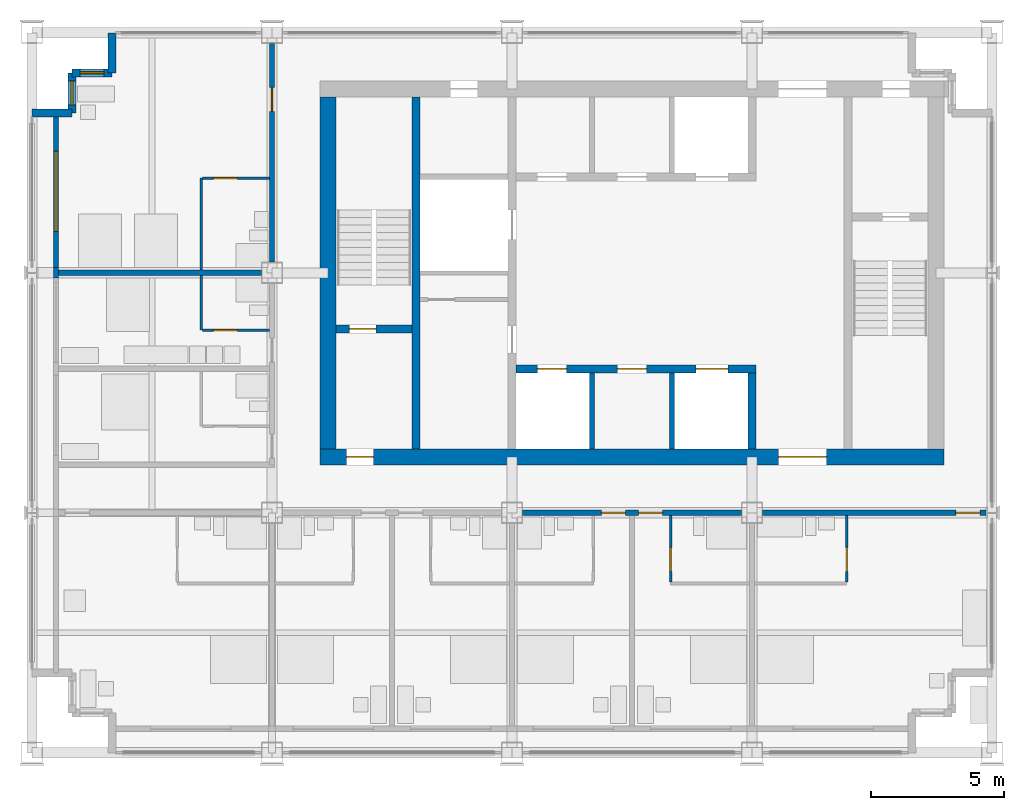
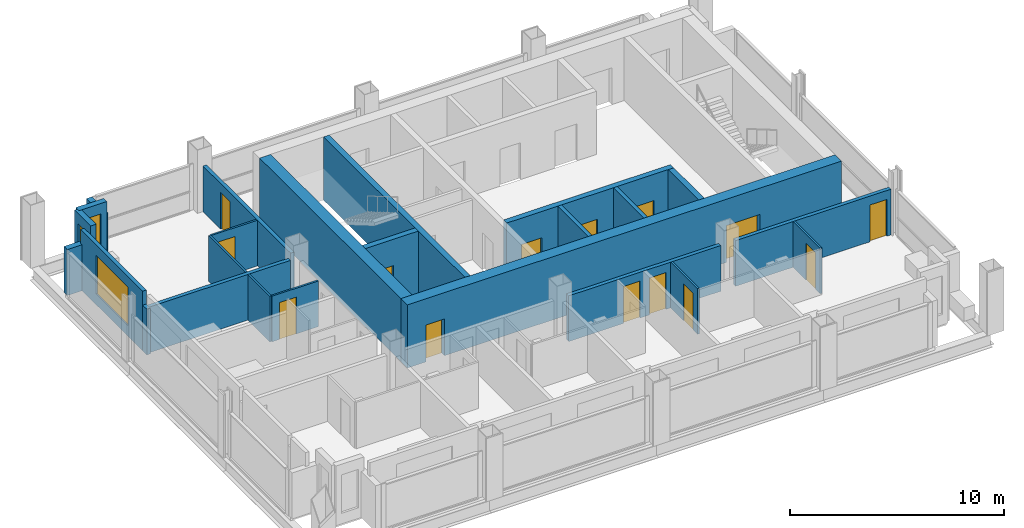
# One storey, part 7 of 12: 24 walls, 14 doors, 3 windows, 17 openings.
"""IFC4 building model written with IfcOpenShell, lengths in metres."""

from ifc_helpers import new_model, si_unit, direction, frame, frame_2d, origin, place, context, subcontext, project, spatial, rectangle, extrude, material, layer, layer_set, type_object, element, fill, save


model = new_model("IFC4")

# Units and contexts
model_context = context("Model", 3, precision=1e-05, world=origin(), true_north=direction((0.0, 1.0)))
body_context = subcontext(model_context, "Body", "Model", "MODEL_VIEW")
ifc_project = project(units=[si_unit("LENGTHUNIT", "METRE"), si_unit("AREAUNIT", "SQUARE_METRE"), si_unit("VOLUMEUNIT", "CUBIC_METRE"), si_unit("PLANEANGLEUNIT", "RADIAN"), si_unit("MASSUNIT", "GRAM", prefix="KILO")], contexts=[model_context])

# Site, building, storey
site_placement = place(None, origin())
site = spatial("IfcSite", under=ifc_project, at=site_placement, CompositionType="ELEMENT")
building_placement = place(site_placement, origin())
building = spatial("IfcBuilding", under=site, at=building_placement, Name="Loomwork Tower", CompositionType="ELEMENT")
storey_placement = place(building_placement, frame((0.0, 0.0, 251.800048828125)))
storey = spatial("IfcBuildingStorey", under=building, at=storey_placement, Name="L69", CompositionType="ELEMENT", Elevation=251.800048828125)

# Wall
ifc_material_1 = material(Name="Concrete 14000 psi (97 MPa)", Category="concrete")
ifc_layer_1 = layer(ifc_material_1, 0.300048828125)
ifc_layer_set_1 = layer_set([ifc_layer_1], Name="Core shear wall 300")
wall_type_1 = type_object("IfcWallType", Name="Core shear wall 300", PredefinedType="SHEAR", material=ifc_layer_set_1)
wall_1_placement = place(storey_placement, frame((14.39990234375, 11.39990234375, 0.0), z_axis=(0.0, 0.0, 1.0), x_axis=(0.0, 1.0, 0.0)))
element("IfcWall", 1, at=wall_1_placement, inside=storey, type_object=wall_type_1, Name="Stair A east wall L69", PredefinedType="SHEAR", context=body_context, shape_type="SweptSolid", body=[
    extrude(rectangle(XDim=13.2001953125, YDim=0.300048828125, at=frame_2d((6.60009765625, 0.0))), origin(), (0.0, 0.0, 1.0), 3.599853515625),
])

# Wall, opening, door
wall_2_placement = place(storey_placement, frame((11.39990234375, 15.89990234375, 0.0), z_axis=(0.0, 0.0, 1.0), x_axis=(1.0, 0.0, 0.0)))
wall_2 = element("IfcWall", 2, at=wall_2_placement, inside=storey, type_object=wall_type_1, Name="Stair A south wall L69", PredefinedType="SHEAR", context=body_context, shape_type="SweptSolid", body=[
    extrude(rectangle(XDim=2.85009765625, YDim=0.300048828125, at=frame_2d((1.425048828125, 0.0))), origin(), (0.0, 0.0, 1.0), 3.599853515625),
])
opening_1_placement = place(wall_2_placement, frame((0.5, 0.0, 0.0)))
opening_1 = element("IfcOpeningElement", 3, at=opening_1_placement, cuts=wall_2, Name="Opening D4", PredefinedType="OPENING", context=body_context, shape_type="SweptSolid", body=[
    extrude(rectangle(XDim=1.0, YDim=2.10009765625, at=frame_2d((0.5, 1.050048828125))), frame((0.0, 0.159912109375, 0.0), z_axis=(0.0, -1.0, 0.0), x_axis=(1.0, 0.0, 0.0)), (0.0, 0.0, 1.0), 0.320068359375),
])
ifc_material_2 = material(Name="Hollow metal door and frame")
door_type_1 = type_object("IfcDoorType", Name="Stair door 1000", OperationType="SINGLE_SWING_RIGHT", PredefinedType="DOOR", material=ifc_material_2)
door_1_placement = place(opening_1_placement, origin())
door_1 = element("IfcDoor", 4, at=door_1_placement, inside=storey, type_object=door_type_1, Name="Stair A door", OperationType="SINGLE_SWING_LEFT", OverallHeight=2.10009765625, OverallWidth=1.0, PredefinedType="DOOR", context=body_context, shape_type="SweptSolid", body=[
    extrude(rectangle(XDim=1.0, YDim=2.10009765625, at=frame_2d((0.5, 1.050048828125))), frame((0.0, 0.02490234375, 0.0), z_axis=(0.0, -1.0, 0.0), x_axis=(1.0, 0.0, 0.0)), (0.0, 0.0, 1.0), 0.050048828125),
])
fill(opening_1, door_1)

# Wall, openings, doors
wall_3_placement = place(storey_placement, frame((18.14990234375, 14.39990234375, 0.0), z_axis=(0.0, 0.0, 1.0), x_axis=(1.0, 0.0, 0.0)))
wall_3 = element("IfcWall", 5, at=wall_3_placement, inside=storey, type_object=wall_type_1, Name="Lift front wall south L69", PredefinedType="SHEAR", context=body_context, shape_type="SweptSolid", body=[
    extrude(rectangle(XDim=9.0, YDim=0.300048828125, at=frame_2d((4.5, 0.0))), origin(), (0.0, 0.0, 1.0), 3.599853515625),
])
opening_2_placement = place(wall_3_placement, frame((0.800048828125, 0.0, 0.0)))
opening_2 = element("IfcOpeningElement", 6, at=opening_2_placement, cuts=wall_3, Name="Opening LD1", PredefinedType="OPENING", context=body_context, shape_type="SweptSolid", body=[
    extrude(rectangle(XDim=1.10009765625, YDim=2.10009765625, at=frame_2d((0.550048828125, 1.050048828125))), frame((0.0, 0.159912109375, 0.0), z_axis=(0.0, -1.0, 0.0), x_axis=(1.0, 0.0, 0.0)), (0.0, 0.0, 1.0), 0.320068359375),
])
opening_3_placement = place(wall_3_placement, frame((6.75, 0.0, 0.0)))
opening_3 = element("IfcOpeningElement", 7, at=opening_3_placement, cuts=wall_3, Name="Opening LD2", PredefinedType="OPENING", context=body_context, shape_type="SweptSolid", body=[
    extrude(rectangle(XDim=1.199951171875, YDim=2.10009765625, at=frame_2d((0.60009765625, 1.050048828125))), frame((0.0, 0.159912109375, 0.0), z_axis=(0.0, -1.0, 0.0), x_axis=(1.0, 0.0, 0.0)), (0.0, 0.0, 1.0), 0.320068359375),
])
opening_4_placement = place(wall_3_placement, frame((3.800048828125, 0.0, 0.0)))
opening_4 = element("IfcOpeningElement", 8, at=opening_4_placement, cuts=wall_3, Name="Opening D17", PredefinedType="OPENING", context=body_context, shape_type="SweptSolid", body=[
    extrude(rectangle(XDim=1.10009765625, YDim=2.10009765625, at=frame_2d((0.550048828125, 1.050048828125))), frame((0.0, 0.159912109375, 0.0), z_axis=(0.0, -1.0, 0.0), x_axis=(1.0, 0.0, 0.0)), (0.0, 0.0, 1.0), 0.320068359375),
])
ifc_material_3 = material(Name="Hollow metal door and frame")
door_type_2 = type_object("IfcDoorType", Name="Lift landing door 1100", OperationType="SLIDING_TO_LEFT", PredefinedType="DOOR", material=ifc_material_3)
door_2_placement = place(opening_2_placement, origin())
door_2 = element("IfcDoor", 9, at=door_2_placement, inside=storey, type_object=door_type_2, Name="Lift landing door LC1", OperationType="SLIDING_TO_LEFT", OverallHeight=2.10009765625, OverallWidth=1.10009765625, PredefinedType="DOOR", context=body_context, shape_type="SweptSolid", body=[
    extrude(rectangle(XDim=1.10009765625, YDim=2.10009765625, at=frame_2d((0.550048828125, 1.050048828125))), frame((0.0, 0.02490234375, 0.0), z_axis=(0.0, -1.0, 0.0), x_axis=(1.0, 0.0, 0.0)), (0.0, 0.0, 1.0), 0.050048828125),
])
fill(opening_2, door_2)
ifc_material_4 = material(Name="Hollow metal door and frame")
door_type_3 = type_object("IfcDoorType", Name="Lift landing door 1200", OperationType="SLIDING_TO_LEFT", PredefinedType="DOOR", material=ifc_material_4)
door_3_placement = place(opening_3_placement, origin())
door_3 = element("IfcDoor", 10, at=door_3_placement, inside=storey, type_object=door_type_3, Name="Lift landing door LF1", OperationType="SLIDING_TO_LEFT", OverallHeight=2.10009765625, OverallWidth=1.199951171875, PredefinedType="DOOR", context=body_context, shape_type="SweptSolid", body=[
    extrude(rectangle(XDim=1.199951171875, YDim=2.10009765625, at=frame_2d((0.60009765625, 1.050048828125))), frame((0.0, 0.02490234375, 0.0), z_axis=(0.0, -1.0, 0.0), x_axis=(1.0, 0.0, 0.0)), (0.0, 0.0, 1.0), 0.050048828125),
])
fill(opening_3, door_3)
ifc_material_5 = material(Name="Hollow metal door and frame")
door_type_4 = type_object("IfcDoorType", Name="Service room door 1100", OperationType="SINGLE_SWING_LEFT", PredefinedType="DOOR", material=ifc_material_5)
door_4_placement = place(opening_4_placement, frame((1.10009765625, 0.0, 0.0), z_axis=(0.0, 0.0, 1.0), x_axis=(-1.0, 0.0, 0.0)))
door_4 = element("IfcDoor", 11, at=door_4_placement, inside=storey, type_object=door_type_4, Name="Linen and housekeeping store door L69", OperationType="SINGLE_SWING_RIGHT", OverallHeight=2.10009765625, OverallWidth=1.10009765625, PredefinedType="DOOR", context=body_context, shape_type="SweptSolid", body=[
    extrude(rectangle(XDim=1.10009765625, YDim=2.10009765625, at=frame_2d((0.550048828125, 1.050048828125))), frame((0.0, 0.02490234375, 0.0), z_axis=(0.0, -1.0, 0.0), x_axis=(1.0, 0.0, 0.0)), (0.0, 0.0, 1.0), 0.050048828125),
])
fill(opening_4, door_4)

# Wall
wall_4_placement = place(storey_placement, frame((27.0, 11.39990234375, 0.0), z_axis=(0.0, 0.0, 1.0), x_axis=(0.0, 1.0, 0.0)))
element("IfcWall", 12, at=wall_4_placement, inside=storey, type_object=wall_type_1, Name="Lift shaft end wall south L69", PredefinedType="SHEAR", context=body_context, shape_type="SweptSolid", body=[
    extrude(rectangle(XDim=2.85009765625, YDim=0.300048828125, at=frame_2d((1.425048828125, 0.0))), origin(), (0.0, 0.0, 1.0), 3.599853515625),
])

# Wall, openings, doors
ifc_material_6 = material(Name="Concrete 14000 psi (97 MPa)", Category="concrete")
ifc_layer_2 = layer(ifc_material_6, 0.60009765625)
ifc_layer_set_2 = layer_set([ifc_layer_2], Name="Core shear wall 600")
wall_type_2 = type_object("IfcWallType", Name="Core shear wall 600", PredefinedType="SHEAR", material=ifc_layer_set_2)
wall_5_placement = place(storey_placement, frame((10.800048828125, 11.10009765625, 0.0), z_axis=(0.0, 0.0, 1.0), x_axis=(1.0, 0.0, 0.0)))
wall_5 = element("IfcWall", 13, at=wall_5_placement, inside=storey, type_object=wall_type_2, Name="Core wall south L69", PredefinedType="SHEAR", context=body_context, shape_type="SweptSolid", body=[
    extrude(rectangle(XDim=23.39990234375, YDim=0.60009765625, at=frame_2d((11.699951171875, 0.0))), origin(), (0.0, 0.0, 1.0), 3.599853515625),
])
opening_5_placement = place(wall_5_placement, frame((1.0, 0.0, 0.0)))
opening_5 = element("IfcOpeningElement", 14, at=opening_5_placement, cuts=wall_5, Name="Opening D4", PredefinedType="OPENING", context=body_context, shape_type="SweptSolid", body=[
    extrude(rectangle(XDim=1.0, YDim=2.10009765625, at=frame_2d((0.5, 1.050048828125))), frame((0.0, 0.31005859375, 0.0), z_axis=(0.0, -1.0, 0.0), x_axis=(1.0, 0.0, 0.0)), (0.0, 0.0, 1.0), 0.6201171875),
])
opening_6_placement = place(wall_5_placement, frame((17.199951171875, 0.0, 0.0)))
opening_6 = element("IfcOpeningElement", 15, at=opening_6_placement, cuts=wall_5, Name="Opening D6", PredefinedType="OPENING", context=body_context, shape_type="SweptSolid", body=[
    extrude(rectangle(XDim=1.800048828125, YDim=2.10009765625, at=frame_2d((0.89990234375, 1.050048828125))), frame((0.0, 0.31005859375, 0.0), z_axis=(0.0, -1.0, 0.0), x_axis=(1.0, 0.0, 0.0)), (0.0, 0.0, 1.0), 0.6201171875),
])
ifc_material_7 = material(Name="Hollow metal door and frame")
door_type_5 = type_object("IfcDoorType", Name="Lobby passage double door 1800", OperationType="DOUBLE_DOOR_SINGLE_SWING", PredefinedType="DOOR", material=ifc_material_7)
door_5_placement = place(opening_6_placement, origin())
door_5 = element("IfcDoor", 16, at=door_5_placement, inside=storey, type_object=door_type_5, Name="Lobby passage door south", OperationType="DOUBLE_DOOR_SINGLE_SWING", OverallHeight=2.10009765625, OverallWidth=1.800048828125, PredefinedType="DOOR", context=body_context, shape_type="SweptSolid", body=[
    extrude(rectangle(XDim=1.800048828125, YDim=2.10009765625, at=frame_2d((0.89990234375, 1.050048828125))), frame((0.0, 0.02490234375, 0.0), z_axis=(0.0, -1.0, 0.0), x_axis=(1.0, 0.0, 0.0)), (0.0, 0.0, 1.0), 0.050048828125),
])
fill(opening_6, door_5)
door_6_placement = place(opening_5_placement, origin())
door_6 = element("IfcDoor", 17, at=door_6_placement, inside=storey, type_object=door_type_1, Name="Stair A vestibule door", OperationType="SINGLE_SWING_LEFT", OverallHeight=2.10009765625, OverallWidth=1.0, PredefinedType="DOOR", context=body_context, shape_type="SweptSolid", body=[
    extrude(rectangle(XDim=1.0, YDim=2.10009765625, at=frame_2d((0.5, 1.050048828125))), frame((0.0, 0.02490234375, 0.0), z_axis=(0.0, -1.0, 0.0), x_axis=(1.0, 0.0, 0.0)), (0.0, 0.0, 1.0), 0.050048828125),
])
fill(opening_5, door_6)

# Wall
wall_6_placement = place(storey_placement, frame((11.10009765625, 11.39990234375, 0.0), z_axis=(0.0, 0.0, 1.0), x_axis=(0.0, 1.0, 0.0)))
element("IfcWall", 18, at=wall_6_placement, inside=storey, type_object=wall_type_2, Name="Core wall west L69", PredefinedType="SHEAR", context=body_context, shape_type="SweptSolid", body=[
    extrude(rectangle(XDim=13.2001953125, YDim=0.60009765625, at=frame_2d((6.60009765625, 0.0))), origin(), (0.0, 0.0, 1.0), 3.599853515625),
])

# Wall, openings, doors
ifc_material_8 = material(Name="Gypsum board on steel studs, one-hour", Category="steel")
ifc_layer_3 = layer(ifc_material_8, 0.199951171875)
ifc_layer_set_3 = layer_set([ifc_layer_3], Name="Corridor wall 200")
wall_type_3 = type_object("IfcWallType", Name="Corridor wall 200", PredefinedType="PARTITIONING", material=ifc_layer_set_3)
wall_7_placement = place(storey_placement, frame((18.39990234375, 9.0, 0.0), z_axis=(0.0, 0.0, 1.0), x_axis=(1.0, 0.0, 0.0)))
wall_7 = element("IfcWall", 19, at=wall_7_placement, inside=storey, type_object=wall_type_3, Name="South corridor wall 3", PredefinedType="PARTITIONING", context=body_context, shape_type="SweptSolid", body=[
    extrude(rectangle(XDim=8.2001953125, YDim=0.199951171875, at=frame_2d((4.10009765625, 0.0))), origin(), (0.0, 0.0, 1.0), 2.60498046875),
])
opening_7_placement = place(wall_7_placement, frame((2.949951171875, 0.0, 0.0)))
opening_7 = element("IfcOpeningElement", 20, at=opening_7_placement, cuts=wall_7, Name="Opening D1", PredefinedType="OPENING", context=body_context, shape_type="SweptSolid", body=[
    extrude(rectangle(XDim=0.89990234375, YDim=2.10009765625, at=frame_2d((0.449951171875, 1.050048828125))), frame((0.0, 0.10986328125, 0.0), z_axis=(0.0, -1.0, 0.0), x_axis=(1.0, 0.0, 0.0)), (0.0, 0.0, 1.0), 0.219970703125),
])
opening_8_placement = place(wall_7_placement, frame((4.35009765625, 0.0, 0.0)))
opening_8 = element("IfcOpeningElement", 21, at=opening_8_placement, cuts=wall_7, Name="Opening D1", PredefinedType="OPENING", context=body_context, shape_type="SweptSolid", body=[
    extrude(rectangle(XDim=0.89990234375, YDim=2.10009765625, at=frame_2d((0.449951171875, 1.050048828125))), frame((0.0, 0.10986328125, 0.0), z_axis=(0.0, -1.0, 0.0), x_axis=(1.0, 0.0, 0.0)), (0.0, 0.0, 1.0), 0.219970703125),
])
ifc_material_9 = material(Name="Hollow metal door and frame")
door_type_6 = type_object("IfcDoorType", Name="Guest room entry door 900", OperationType="SINGLE_SWING_LEFT", PredefinedType="DOOR", material=ifc_material_9)
door_7_placement = place(opening_7_placement, frame((0.89990234375, 0.0, 0.0), z_axis=(0.0, 0.0, 1.0), x_axis=(-1.0, 0.0, 0.0)))
door_7 = element("IfcDoor", 22, at=door_7_placement, inside=storey, type_object=door_type_6, Name="Guest room entry door L69 4", OperationType="SINGLE_SWING_LEFT", OverallHeight=2.10009765625, OverallWidth=0.89990234375, PredefinedType="DOOR", context=body_context, shape_type="SweptSolid", body=[
    extrude(rectangle(XDim=0.89990234375, YDim=2.10009765625, at=frame_2d((0.449951171875, 1.050048828125))), frame((0.0, 0.02490234375, 0.0), z_axis=(0.0, -1.0, 0.0), x_axis=(1.0, 0.0, 0.0)), (0.0, 0.0, 1.0), 0.050048828125),
])
fill(opening_7, door_7)
door_8_placement = place(opening_8_placement, frame((0.89990234375, 0.0, 0.0), z_axis=(0.0, 0.0, 1.0), x_axis=(-1.0, 0.0, 0.0)))
door_8 = element("IfcDoor", 23, at=door_8_placement, inside=storey, type_object=door_type_6, Name="Guest room entry door L69 5", OperationType="SINGLE_SWING_RIGHT", OverallHeight=2.10009765625, OverallWidth=0.89990234375, PredefinedType="DOOR", context=body_context, shape_type="SweptSolid", body=[
    extrude(rectangle(XDim=0.89990234375, YDim=2.10009765625, at=frame_2d((0.449951171875, 1.050048828125))), frame((0.0, 0.02490234375, 0.0), z_axis=(0.0, -1.0, 0.0), x_axis=(1.0, 0.0, 0.0)), (0.0, 0.0, 1.0), 0.050048828125),
])
fill(opening_8, door_8)

# Wall, opening, door
wall_8_placement = place(storey_placement, frame((27.39990234375, 9.0, 0.0), z_axis=(0.0, 0.0, 1.0), x_axis=(1.0, 0.0, 0.0)))
wall_8 = element("IfcWall", 24, at=wall_8_placement, inside=storey, type_object=wall_type_3, Name="South corridor wall 4", PredefinedType="PARTITIONING", context=body_context, shape_type="SweptSolid", body=[
    extrude(rectangle(XDim=8.377685546875, YDim=0.199951171875, at=frame_2d((4.18896484375, 0.0))), origin(), (0.0, 0.0, 1.0), 2.60498046875),
])
opening_9_placement = place(wall_8_placement, frame((7.25, 0.0, 0.0)))
opening_9 = element("IfcOpeningElement", 25, at=opening_9_placement, cuts=wall_8, Name="Opening D1", PredefinedType="OPENING", context=body_context, shape_type="SweptSolid", body=[
    extrude(rectangle(XDim=0.89990234375, YDim=2.10009765625, at=frame_2d((0.449951171875, 1.050048828125))), frame((0.0, 0.10986328125, 0.0), z_axis=(0.0, -1.0, 0.0), x_axis=(1.0, 0.0, 0.0)), (0.0, 0.0, 1.0), 0.219970703125),
])
door_9_placement = place(opening_9_placement, frame((0.89990234375, 0.0, 0.0), z_axis=(0.0, 0.0, 1.0), x_axis=(-1.0, 0.0, 0.0)))
door_9 = element("IfcDoor", 26, at=door_9_placement, inside=storey, type_object=door_type_6, Name="Guest room entry door L69 6", OperationType="SINGLE_SWING_RIGHT", OverallHeight=2.10009765625, OverallWidth=0.89990234375, PredefinedType="DOOR", context=body_context, shape_type="SweptSolid", body=[
    extrude(rectangle(XDim=0.89990234375, YDim=2.10009765625, at=frame_2d((0.449951171875, 1.050048828125))), frame((0.0, 0.02490234375, 0.0), z_axis=(0.0, -1.0, 0.0), x_axis=(1.0, 0.0, 0.0)), (0.0, 0.0, 1.0), 0.050048828125),
])
fill(opening_9, door_9)

wall_9_placement = place(storey_placement, frame((9.0, 18.39990234375, 0.0), z_axis=(0.0, 0.0, 1.0), x_axis=(0.0, 1.0, 0.0)))
wall_9 = element("IfcWall", 27, at=wall_9_placement, inside=storey, type_object=wall_type_3, Name="West corridor wall 2", PredefinedType="PARTITIONING", context=body_context, shape_type="SweptSolid", body=[
    extrude(rectangle(XDim=8.2001953125, YDim=0.199951171875, at=frame_2d((4.10009765625, 0.0))), origin(), (0.0, 0.0, 1.0), 2.60498046875),
])
opening_10_placement = place(wall_9_placement, frame((5.64990234375, 0.0, 0.0)))
opening_10 = element("IfcOpeningElement", 28, at=opening_10_placement, cuts=wall_9, Name="Opening D1", PredefinedType="OPENING", context=body_context, shape_type="SweptSolid", body=[
    extrude(rectangle(XDim=0.89990234375, YDim=2.10009765625, at=frame_2d((0.449951171875, 1.050048828125))), frame((0.0, 0.10986328125, 0.0), z_axis=(0.0, -1.0, 0.0), x_axis=(1.0, 0.0, 0.0)), (0.0, 0.0, 1.0), 0.219970703125),
])
door_10_placement = place(opening_10_placement, origin())
door_10 = element("IfcDoor", 29, at=door_10_placement, inside=storey, type_object=door_type_6, Name="Guest room entry door L69 9", OperationType="SINGLE_SWING_RIGHT", OverallHeight=2.10009765625, OverallWidth=0.89990234375, PredefinedType="DOOR", context=body_context, shape_type="SweptSolid", body=[
    extrude(rectangle(XDim=0.89990234375, YDim=2.10009765625, at=frame_2d((0.449951171875, 1.050048828125))), frame((0.0, 0.02490234375, 0.0), z_axis=(0.0, -1.0, 0.0), x_axis=(1.0, 0.0, 0.0)), (0.0, 0.0, 1.0), 0.050048828125),
])
fill(opening_10, door_10)

ifc_material_10 = material(Name="Cement board on steel studs", Category="steel")
ifc_layer_4 = layer(ifc_material_10, 0.10009765625)
ifc_layer_set_4 = layer_set([ifc_layer_4], Name="En-suite partition 100")
wall_type_4 = type_object("IfcWallType", Name="En-suite partition 100", PredefinedType="PARTITIONING", material=ifc_layer_set_4)
wall_10_placement = place(storey_placement, frame((23.949951171875, 8.89990234375, 0.0), z_axis=(0.0, 0.0, 1.0), x_axis=(0.0, -1.0, 0.0)))
wall_10 = element("IfcWall", 30, at=wall_10_placement, inside=storey, type_object=wall_type_4, Name="En-suite side wall L69 room 5", PredefinedType="PARTITIONING", context=body_context, shape_type="SweptSolid", body=[
    extrude(rectangle(XDim=2.5, YDim=0.10009765625, at=frame_2d((1.25, 0.0))), origin(), (0.0, 0.0, 1.0), 2.60400390625),
])
opening_11_placement = place(wall_10_placement, frame((1.199951171875, 0.0, 0.0)))
opening_11 = element("IfcOpeningElement", 31, at=opening_11_placement, cuts=wall_10, Name="Opening D3", PredefinedType="OPENING", context=body_context, shape_type="SweptSolid", body=[
    extrude(rectangle(XDim=0.89990234375, YDim=2.10009765625, at=frame_2d((0.449951171875, 1.050048828125))), frame((0.0, 0.06005859375, 0.0), z_axis=(0.0, -1.0, 0.0), x_axis=(1.0, 0.0, 0.0)), (0.0, 0.0, 1.0), 0.1201171875),
])
ifc_material_11 = material(Name="Hollow metal door and frame")
door_type_7 = type_object("IfcDoorType", Name="Accessible en-suite door 900", OperationType="SLIDING_TO_LEFT", PredefinedType="DOOR", material=ifc_material_11)
door_11_placement = place(opening_11_placement, origin())
door_11 = element("IfcDoor", 32, at=door_11_placement, inside=storey, type_object=door_type_7, Name="Accessible en-suite door room 5", OperationType="SLIDING_TO_LEFT", OverallHeight=2.10009765625, OverallWidth=0.89990234375, PredefinedType="DOOR", context=body_context, shape_type="SweptSolid", body=[
    extrude(rectangle(XDim=0.89990234375, YDim=2.10009765625, at=frame_2d((0.449951171875, 1.050048828125))), frame((0.0, 0.02490234375, 0.0), z_axis=(0.0, -1.0, 0.0), x_axis=(1.0, 0.0, 0.0)), (0.0, 0.0, 1.0), 0.050048828125),
])
fill(opening_11, door_11)

wall_11_placement = place(storey_placement, frame((30.550048828125, 8.89990234375, 0.0), z_axis=(0.0, 0.0, 1.0), x_axis=(0.0, -1.0, 0.0)))
wall_11 = element("IfcWall", 33, at=wall_11_placement, inside=storey, type_object=wall_type_4, Name="En-suite side wall L69 room 6", PredefinedType="PARTITIONING", context=body_context, shape_type="SweptSolid", body=[
    extrude(rectangle(XDim=2.5, YDim=0.10009765625, at=frame_2d((1.25, 0.0))), origin(), (0.0, 0.0, 1.0), 2.60400390625),
])
opening_12_placement = place(wall_11_placement, frame((1.199951171875, 0.0, 0.0)))
opening_12 = element("IfcOpeningElement", 34, at=opening_12_placement, cuts=wall_11, Name="Opening D2", PredefinedType="OPENING", context=body_context, shape_type="SweptSolid", body=[
    extrude(rectangle(XDim=0.89990234375, YDim=2.10009765625, at=frame_2d((0.449951171875, 1.050048828125))), frame((0.0, 0.06005859375, 0.0), z_axis=(0.0, -1.0, 0.0), x_axis=(1.0, 0.0, 0.0)), (0.0, 0.0, 1.0), 0.1201171875),
])
ifc_material_12 = material(Name="Hollow metal door and frame")
door_type_8 = type_object("IfcDoorType", Name="En-suite door 900", OperationType="SINGLE_SWING_LEFT", PredefinedType="DOOR", material=ifc_material_12)
door_12_placement = place(opening_12_placement, frame((0.89990234375, 0.0, 0.0), z_axis=(0.0, 0.0, 1.0), x_axis=(-1.0, 0.0, 0.0)))
door_12 = element("IfcDoor", 35, at=door_12_placement, inside=storey, type_object=door_type_8, Name="En-suite door room 6", OperationType="SINGLE_SWING_LEFT", OverallHeight=2.10009765625, OverallWidth=0.89990234375, PredefinedType="DOOR", context=body_context, shape_type="SweptSolid", body=[
    extrude(rectangle(XDim=0.89990234375, YDim=2.10009765625, at=frame_2d((0.449951171875, 1.050048828125))), frame((0.0, 0.02490234375, 0.0), z_axis=(0.0, -1.0, 0.0), x_axis=(1.0, 0.0, 0.0)), (0.0, 0.0, 1.0), 0.050048828125),
])
fill(opening_12, door_12)

# Wall
wall_12_placement = place(storey_placement, frame((6.35009765625, 15.85009765625, 0.0), z_axis=(0.0, 0.0, 1.0), x_axis=(0.0, 1.0, 0.0)))
element("IfcWall", 36, at=wall_12_placement, inside=storey, type_object=wall_type_4, Name="En-suite wall L69 room 8", PredefinedType="PARTITIONING", context=body_context, shape_type="SweptSolid", body=[
    extrude(rectangle(XDim=2.0498046875, YDim=0.10009765625, at=frame_2d((1.02490234375, 0.0))), origin(), (0.0, 0.0, 1.0), 2.60400390625),
])

# Wall, opening, door
wall_13_placement = place(storey_placement, frame((8.89990234375, 15.85009765625, 0.0), z_axis=(0.0, 0.0, 1.0), x_axis=(-1.0, 0.0, 0.0)))
wall_13 = element("IfcWall", 37, at=wall_13_placement, inside=storey, type_object=wall_type_4, Name="En-suite side wall L69 room 8", PredefinedType="PARTITIONING", context=body_context, shape_type="SweptSolid", body=[
    extrude(rectangle(XDim=2.5, YDim=0.10009765625, at=frame_2d((1.25, 0.0))), origin(), (0.0, 0.0, 1.0), 2.60400390625),
])
opening_13_placement = place(wall_13_placement, frame((1.199951171875, 0.0, 0.0)))
opening_13 = element("IfcOpeningElement", 38, at=opening_13_placement, cuts=wall_13, Name="Opening D2", PredefinedType="OPENING", context=body_context, shape_type="SweptSolid", body=[
    extrude(rectangle(XDim=0.89990234375, YDim=2.10009765625, at=frame_2d((0.449951171875, 1.050048828125))), frame((0.0, 0.06005859375, 0.0), z_axis=(0.0, -1.0, 0.0), x_axis=(1.0, 0.0, 0.0)), (0.0, 0.0, 1.0), 0.1201171875),
])
door_13_placement = place(opening_13_placement, frame((0.89990234375, 0.0, 0.0), z_axis=(0.0, 0.0, 1.0), x_axis=(-1.0, 0.0, 0.0)))
door_13 = element("IfcDoor", 39, at=door_13_placement, inside=storey, type_object=door_type_8, Name="En-suite door room 8", OperationType="SINGLE_SWING_LEFT", OverallHeight=2.10009765625, OverallWidth=0.89990234375, PredefinedType="DOOR", context=body_context, shape_type="SweptSolid", body=[
    extrude(rectangle(XDim=0.89990234375, YDim=2.10009765625, at=frame_2d((0.449951171875, 1.050048828125))), frame((0.0, 0.02490234375, 0.0), z_axis=(0.0, -1.0, 0.0), x_axis=(1.0, 0.0, 0.0)), (0.0, 0.0, 1.0), 0.050048828125),
])
fill(opening_13, door_13)

# Wall
wall_14_placement = place(storey_placement, frame((6.35009765625, 18.10009765625, 0.0), z_axis=(0.0, 0.0, 1.0), x_axis=(0.0, 1.0, 0.0)))
element("IfcWall", 40, at=wall_14_placement, inside=storey, type_object=wall_type_4, Name="En-suite wall L69 room 9", PredefinedType="PARTITIONING", context=body_context, shape_type="SweptSolid", body=[
    extrude(rectangle(XDim=3.449951171875, YDim=0.10009765625, at=frame_2d((1.72509765625, 0.0))), origin(), (0.0, 0.0, 1.0), 2.60400390625),
])

# Wall, opening, door
wall_15_placement = place(storey_placement, frame((8.89990234375, 21.550048828125, 0.0), z_axis=(0.0, 0.0, 1.0), x_axis=(-1.0, 0.0, 0.0)))
wall_15 = element("IfcWall", 41, at=wall_15_placement, inside=storey, type_object=wall_type_4, Name="En-suite side wall L69 room 9", PredefinedType="PARTITIONING", context=body_context, shape_type="SweptSolid", body=[
    extrude(rectangle(XDim=2.5, YDim=0.10009765625, at=frame_2d((1.25, 0.0))), origin(), (0.0, 0.0, 1.0), 2.60400390625),
])
opening_14_placement = place(wall_15_placement, frame((1.199951171875, 0.0, 0.0)))
opening_14 = element("IfcOpeningElement", 42, at=opening_14_placement, cuts=wall_15, Name="Opening D2", PredefinedType="OPENING", context=body_context, shape_type="SweptSolid", body=[
    extrude(rectangle(XDim=0.89990234375, YDim=2.10009765625, at=frame_2d((0.449951171875, 1.050048828125))), frame((0.0, 0.06005859375, 0.0), z_axis=(0.0, -1.0, 0.0), x_axis=(1.0, 0.0, 0.0)), (0.0, 0.0, 1.0), 0.1201171875),
])
door_14_placement = place(opening_14_placement, origin())
door_14 = element("IfcDoor", 43, at=door_14_placement, inside=storey, type_object=door_type_8, Name="En-suite door room 9", OperationType="SINGLE_SWING_RIGHT", OverallHeight=2.10009765625, OverallWidth=0.89990234375, PredefinedType="DOOR", context=body_context, shape_type="SweptSolid", body=[
    extrude(rectangle(XDim=0.89990234375, YDim=2.10009765625, at=frame_2d((0.449951171875, 1.050048828125))), frame((0.0, 0.02490234375, 0.0), z_axis=(0.0, -1.0, 0.0), x_axis=(1.0, 0.0, 0.0)), (0.0, 0.0, 1.0), 0.050048828125),
])
fill(opening_14, door_14)

# Walls
ifc_material_13 = material(Name="Gypsum board on steel studs, acoustic", Category="steel")
ifc_layer_5 = layer(ifc_material_13, 0.199951171875)
ifc_layer_set_5 = layer_set([ifc_layer_5], Name="Guest room party wall 200")
wall_type_5 = type_object("IfcWallType", Name="Guest room party wall 200", PredefinedType="PARTITIONING", material=ifc_layer_set_5)
wall_16_placement = place(storey_placement, frame((8.60009765625, 18.0, 0.0), z_axis=(0.0, 0.0, 1.0), x_axis=(-1.0, 0.0, 0.0)))
element("IfcWall", 44, at=wall_16_placement, inside=storey, type_object=wall_type_5, Name="Guest room party wall W 18", PredefinedType="PARTITIONING", context=body_context, shape_type="SweptSolid", body=[
    extrude(rectangle(XDim=7.60009765625, YDim=0.199951171875, at=frame_2d((3.800048828125, 0.0))), origin(), (0.0, 0.0, 1.0), 2.60498046875),
])
ifc_material_14 = material(Name="Insulated steel stud wall with gypsum lining", Category="steel")
ifc_layer_6 = layer(ifc_material_14, 0.199951171875)
ifc_layer_set_6 = layer_set([ifc_layer_6], Name="Inner skin wall 200")
wall_type_6 = type_object("IfcWallType", Name="Inner skin wall 200", PredefinedType="SOLIDWALL", material=ifc_layer_set_6)
wall_17_placement = place(storey_placement, frame((0.89990234375, 17.80615234375, 0.0), z_axis=(0.0, 0.0, 1.0), x_axis=(0.0, 1.0, 0.0)))
element("IfcWall", 45, at=wall_17_placement, inside=storey, type_object=wall_type_6, Name="Inner skin wall W bay 6", PredefinedType="SOLIDWALL", context=body_context, shape_type="SweptSolid", body=[
    extrude(rectangle(XDim=0.3876953125, YDim=0.199951171875, at=frame_2d((0.19384765625, 0.0))), origin(), (0.0, 0.0, 1.0), 2.60400390625),
])

# Wall, opening, window
wall_18_placement = place(storey_placement, frame((0.89990234375, 18.19384765625, 0.0), z_axis=(0.0, 0.0, 1.0), x_axis=(0.0, 1.0, 0.0)))
wall_18 = element("IfcWall", 46, at=wall_18_placement, inside=storey, type_object=wall_type_6, Name="Inner skin wall W bay 7", PredefinedType="SOLIDWALL", context=body_context, shape_type="SweptSolid", body=[
    extrude(rectangle(XDim=5.80615234375, YDim=0.199951171875, at=frame_2d((2.903076171875, 0.0))), origin(), (0.0, 0.0, 1.0), 3.39990234375),
])
opening_15_placement = place(wall_18_placement, frame((1.356201171875, 0.0, 0.60009765625)))
opening_15 = element("IfcOpeningElement", 47, at=opening_15_placement, cuts=wall_18, Name="Opening CH1", PredefinedType="OPENING", context=body_context, shape_type="SweptSolid", body=[
    extrude(rectangle(XDim=3.0, YDim=2.199951171875, at=frame_2d((1.5, 1.10009765625))), frame((0.0, 0.10986328125, 0.0), z_axis=(0.0, -1.0, 0.0), x_axis=(1.0, 0.0, 0.0)), (0.0, 0.0, 1.0), 0.219970703125),
])
ifc_material_15 = material(Name="Aluminium frame with clear insulated glass", Category="aluminium")
window_type_1 = type_object("IfcWindowType", Name="Chicago window 3000", PartitioningType="TRIPLE_PANEL_VERTICAL", PredefinedType="WINDOW", material=ifc_material_15)
window_1_placement = place(opening_15_placement, origin())
window_1 = element("IfcWindow", 48, at=window_1_placement, inside=storey, type_object=window_type_1, Name="Chicago window L69 bay 6", OverallHeight=2.199951171875, OverallWidth=3.0, PartitioningType="TRIPLE_PANEL_VERTICAL", PredefinedType="WINDOW", context=body_context, shape_type="SweptSolid", body=[
    extrude(rectangle(XDim=3.0, YDim=2.199951171875, at=frame_2d((1.5, 1.10009765625))), frame((0.0, 0.030029296875, 0.0), z_axis=(0.0, -1.0, 0.0), x_axis=(1.0, 0.0, 0.0)), (0.0, 0.0, 1.0), 0.06005859375),
])
fill(opening_15, window_1)

# Walls
ifc_material_16 = material(Name="Concrete 14000 psi (97 MPa)", Category="concrete")
ifc_layer_7 = layer(ifc_material_16, 0.199951171875)
ifc_layer_set_7 = layer_set([ifc_layer_7], Name="Lift shaft wall 200")
wall_type_7 = type_object("IfcWallType", Name="Lift shaft wall 200", PredefinedType="SHEAR", material=ifc_layer_set_7)
for number, where, z_axis, x_axis, name in (
    (49, (21.0, 11.39990234375, 0.0), (0.0, 0.0, 1.0), (0.0, 1.0, 0.0), "Lift shaft separation wall south 1 L69"),
    (50, (24.0, 11.39990234375, 0.0), (0.0, 0.0, 1.0), (0.0, 1.0, 0.0), "Lift shaft separation wall south 2 L69"),
):
    element("IfcWall", number, at=place(storey_placement, frame(where, z_axis=z_axis, x_axis=x_axis)), inside=storey, type_object=wall_type_7, Name=name, PredefinedType="SHEAR", context=body_context, shape_type="SweptSolid", body=[
        extrude(rectangle(XDim=2.85009765625, YDim=0.199951171875, at=frame_2d((1.425048828125, 0.0))), origin(), (0.0, 0.0, 1.0), 3.599853515625),
    ])
ifc_material_17 = material(Name="Limestone on concrete masonry", Category="masonry")
ifc_layer_8 = layer(ifc_material_17, 0.300048828125)
ifc_layer_set_8 = layer_set([ifc_layer_8], Name="Limestone corner wall 300")
wall_type_8 = type_object("IfcWallType", Name="Limestone corner wall 300", PredefinedType="SOLIDWALL", material=ifc_layer_set_8)
wall_19_placement = place(storey_placement, frame((3.0, 27.0, 0.0), z_axis=(0.0, 0.0, 1.0), x_axis=(0.0, -1.0, 0.0)))
element("IfcWall", 51, at=wall_19_placement, inside=storey, type_object=wall_type_8, Name="Stone corner wall NW 1", PredefinedType="SOLIDWALL", context=body_context, shape_type="SweptSolid", body=[
    extrude(rectangle(XDim=1.5, YDim=0.300048828125, at=frame_2d((0.75, 0.0))), origin(), (0.0, 0.0, 1.0), 2.619873046875),
])

# Wall, opening, window
wall_20_placement = place(storey_placement, frame((3.0, 25.5, 0.0), z_axis=(0.0, 0.0, 1.0), x_axis=(-1.0, 0.0, 0.0)))
wall_20 = element("IfcWall", 52, at=wall_20_placement, inside=storey, type_object=wall_type_8, Name="Stone corner wall NW 2", PredefinedType="SOLIDWALL", context=body_context, shape_type="SweptSolid", body=[
    extrude(rectangle(XDim=1.5, YDim=0.300048828125, at=frame_2d((0.75, 0.0))), origin(), (0.0, 0.0, 1.0), 3.39990234375),
])
opening_16_placement = place(wall_20_placement, frame((0.300048828125, 0.0, 0.60009765625)))
opening_16 = element("IfcOpeningElement", 53, at=opening_16_placement, cuts=wall_20, Name="Opening CH2", PredefinedType="OPENING", context=body_context, shape_type="SweptSolid", body=[
    extrude(rectangle(XDim=0.89990234375, YDim=2.199951171875, at=frame_2d((0.449951171875, 1.10009765625))), frame((0.0, 0.159912109375, 0.0), z_axis=(0.0, -1.0, 0.0), x_axis=(1.0, 0.0, 0.0)), (0.0, 0.0, 1.0), 0.320068359375),
])
ifc_material_18 = material(Name="Aluminium frame with clear insulated glass", Category="aluminium")
window_type_2 = type_object("IfcWindowType", Name="Corner window 900", PartitioningType="SINGLE_PANEL", PredefinedType="WINDOW", material=ifc_material_18)
window_2_placement = place(opening_16_placement, origin())
window_2 = element("IfcWindow", 54, at=window_2_placement, inside=storey, type_object=window_type_2, Name="Corner window NW", OverallHeight=2.199951171875, OverallWidth=0.89990234375, PartitioningType="SINGLE_PANEL", PredefinedType="WINDOW", context=body_context, shape_type="SweptSolid", body=[
    extrude(rectangle(XDim=0.89990234375, YDim=2.199951171875, at=frame_2d((0.449951171875, 1.10009765625))), frame((0.0, 0.030029296875, 0.0), z_axis=(0.0, -1.0, 0.0), x_axis=(1.0, 0.0, 0.0)), (0.0, 0.0, 1.0), 0.06005859375),
])
fill(opening_16, window_2)

wall_21_placement = place(storey_placement, frame((1.5, 25.5, 0.0), z_axis=(0.0, 0.0, 1.0), x_axis=(0.0, -1.0, 0.0)))
wall_21 = element("IfcWall", 55, at=wall_21_placement, inside=storey, type_object=wall_type_8, Name="Stone corner wall NW 3", PredefinedType="SOLIDWALL", context=body_context, shape_type="SweptSolid", body=[
    extrude(rectangle(XDim=1.5, YDim=0.300048828125, at=frame_2d((0.75, 0.0))), origin(), (0.0, 0.0, 1.0), 3.39990234375),
])
opening_17_placement = place(wall_21_placement, frame((0.300048828125, 0.0, 0.60009765625)))
opening_17 = element("IfcOpeningElement", 56, at=opening_17_placement, cuts=wall_21, Name="Opening CH2", PredefinedType="OPENING", context=body_context, shape_type="SweptSolid", body=[
    extrude(rectangle(XDim=0.89990234375, YDim=2.199951171875, at=frame_2d((0.449951171875, 1.10009765625))), frame((0.0, 0.159912109375, 0.0), z_axis=(0.0, -1.0, 0.0), x_axis=(1.0, 0.0, 0.0)), (0.0, 0.0, 1.0), 0.320068359375),
])
window_3_placement = place(opening_17_placement, origin())
window_3 = element("IfcWindow", 57, at=window_3_placement, inside=storey, type_object=window_type_2, Name="Corner window NW", OverallHeight=2.199951171875, OverallWidth=0.89990234375, PartitioningType="SINGLE_PANEL", PredefinedType="WINDOW", context=body_context, shape_type="SweptSolid", body=[
    extrude(rectangle(XDim=0.89990234375, YDim=2.199951171875, at=frame_2d((0.449951171875, 1.10009765625))), frame((0.0, 0.030029296875, 0.0), z_axis=(0.0, -1.0, 0.0), x_axis=(1.0, 0.0, 0.0)), (0.0, 0.0, 1.0), 0.06005859375),
])
fill(opening_17, window_3)

# Wall
wall_22_placement = place(storey_placement, frame((1.5, 24.0, 0.0), z_axis=(0.0, 0.0, 1.0), x_axis=(-1.0, 0.0, 0.0)))
element("IfcWall", 58, at=wall_22_placement, inside=storey, type_object=wall_type_8, Name="Stone corner wall NW 4", PredefinedType="SOLIDWALL", context=body_context, shape_type="SweptSolid", body=[
    extrude(rectangle(XDim=1.5, YDim=0.300048828125, at=frame_2d((0.75, 0.0))), origin(), (0.0, 0.0, 1.0), 2.619873046875),
])

save(model, "model.ifc")
